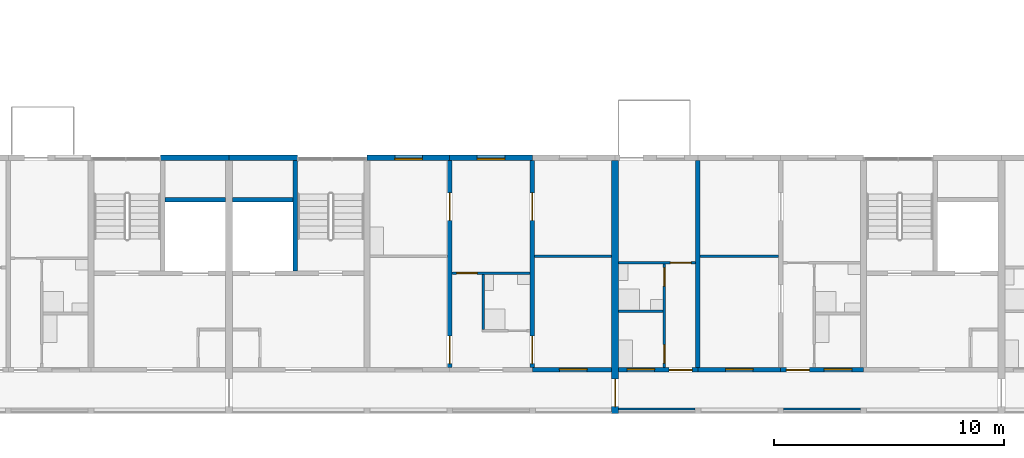
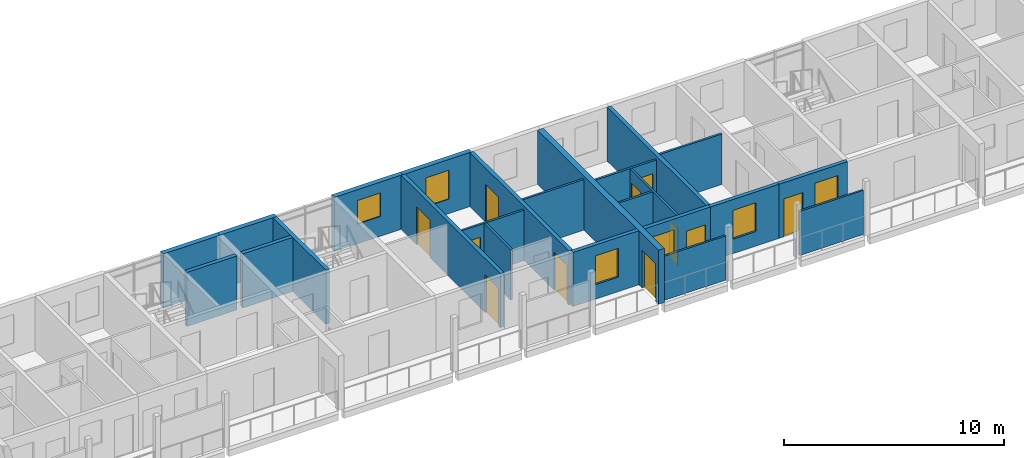
# One storey, part 32 of 94: 24 walls, 11 doors, 6 windows, 17 openings.
"""IFC4 building model written with IfcOpenShell, lengths in metres."""

from ifc_helpers import new_model, si_unit, direction, frame, frame_2d, origin, place, context, subcontext, project, spatial, rectangle, extrude, material, layer, layer_set, type_object, element, fill, save


model = new_model("IFC4")

# Units and contexts
model_context = context("Model", 3, precision=1e-05, world=origin(), true_north=direction((0.0, 1.0)))
body_context = subcontext(model_context, "Body", "Model", "MODEL_VIEW")
ifc_project = project(units=[si_unit("LENGTHUNIT", "METRE"), si_unit("AREAUNIT", "SQUARE_METRE"), si_unit("VOLUMEUNIT", "CUBIC_METRE"), si_unit("PLANEANGLEUNIT", "RADIAN"), si_unit("MASSUNIT", "GRAM", prefix="KILO")], contexts=[model_context])

# Site, building, storey
site_placement = place(None, origin())
site = spatial("IfcSite", under=ifc_project, at=site_placement, CompositionType="ELEMENT")
building_placement = place(site_placement, origin())
building = spatial("IfcBuilding", under=site, at=building_placement, Name="Ridgestep Commons", CompositionType="ELEMENT")
storey_placement = place(building_placement, frame((0.0, 0.0, 21.0)))
storey = spatial("IfcBuildingStorey", under=building, at=storey_placement, Name="L07", CompositionType="ELEMENT", Elevation=21.0)

# Walls
ifc_material_1 = material(Name="Concrete C30/37", Category="concrete")
ifc_layer_1 = layer(ifc_material_1, 0.199951171875)
ifc_layer_set_1 = layer_set([ifc_layer_1], Name="Core wall 200")
wall_type_1 = type_object("IfcWallType", Name="Core wall 200", PredefinedType="SHEAR", material=ifc_layer_set_1)
wall_1_placement = place(storey_placement, frame((42.824951171875, 21.050048828125, 0.0), z_axis=(0.0, 0.0, 1.0), x_axis=(1.0, 0.0, 0.0)))
element("IfcWall", 1, at=wall_1_placement, inside=storey, type_object=wall_type_1, Name="Core duct wall A2C L07", PredefinedType="SHEAR", context=body_context, shape_type="SweptSolid", body=[
    extrude(rectangle(XDim=2.625, YDim=0.199951171875, at=frame_2d((1.3125, 0.0))), origin(), (0.0, 0.0, 1.0), 3.0),
])
wall_2_placement = place(storey_placement, frame((48.47509765625, 17.949951171875, 0.0), z_axis=(0.0, 0.0, 1.0), x_axis=(0.0, 1.0, 0.0)))
element("IfcWall", 2, at=wall_2_placement, inside=storey, type_object=wall_type_1, Name="Core stair wall A3C L07", PredefinedType="SHEAR", context=body_context, shape_type="SweptSolid", body=[
    extrude(rectangle(XDim=4.800048828125, YDim=0.199951171875, at=frame_2d((2.39990234375, 0.0))), origin(), (0.0, 0.0, 1.0), 3.0),
])
wall_3_placement = place(storey_placement, frame((45.75, 21.050048828125, 0.0), z_axis=(0.0, 0.0, 1.0), x_axis=(1.0, 0.0, 0.0)))
element("IfcWall", 3, at=wall_3_placement, inside=storey, type_object=wall_type_1, Name="Core duct wall A3C L07", PredefinedType="SHEAR", context=body_context, shape_type="SweptSolid", body=[
    extrude(rectangle(XDim=2.625, YDim=0.199951171875, at=frame_2d((1.3125, 0.0))), origin(), (0.0, 0.0, 1.0), 3.0),
])

# Wall, openings, doors
ifc_material_2 = material(Name="Precast concrete C40/50", Category="concrete")
ifc_layer_2 = layer(ifc_material_2, 0.199951171875)
ifc_layer_set_2 = layer_set([ifc_layer_2], Name="Cross wall 200")
wall_type_2 = type_object("IfcWallType", Name="Cross wall 200", PredefinedType="SHEAR", material=ifc_layer_set_2)
wall_4_placement = place(storey_placement, frame((55.199951171875, 13.75, 0.0), z_axis=(0.0, 0.0, 1.0), x_axis=(0.0, 1.0, 0.0)))
wall_4 = element("IfcWall", 4, at=wall_4_placement, inside=storey, type_object=wall_type_2, Name="Cross wall A-07-0552", PredefinedType="SHEAR", context=body_context, shape_type="SweptSolid", body=[
    extrude(rectangle(XDim=9.0, YDim=0.199951171875, at=frame_2d((4.5, 0.0))), origin(), (0.0, 0.0, 1.0), 3.0),
])
opening_1_placement = place(wall_4_placement, frame((0.175048828125, 0.0, 0.0)))
opening_1 = element("IfcOpeningElement", 5, at=opening_1_placement, cuts=wall_4, Name="Opening A3-07a/4", PredefinedType="OPENING", context=body_context, shape_type="SweptSolid", body=[
    extrude(rectangle(XDim=1.199951171875, YDim=2.10009765625, at=frame_2d((0.60009765625, 1.050048828125))), frame((0.0, 0.10986328125, 0.0), z_axis=(0.0, -1.0, 0.0), x_axis=(1.0, 0.0, 0.0)), (0.0, 0.0, 1.0), 0.219970703125),
])
opening_2_placement = place(wall_4_placement, frame((6.39990234375, 0.0, 0.0)))
opening_2 = element("IfcOpeningElement", 6, at=opening_2_placement, cuts=wall_4, Name="Opening A3-07a/5", PredefinedType="OPENING", context=body_context, shape_type="SweptSolid", body=[
    extrude(rectangle(XDim=1.199951171875, YDim=2.10009765625, at=frame_2d((0.60009765625, 1.050048828125))), frame((0.0, 0.10986328125, 0.0), z_axis=(0.0, -1.0, 0.0), x_axis=(1.0, 0.0, 0.0)), (0.0, 0.0, 1.0), 0.219970703125),
])
ifc_material_3 = material(Name="Timber door leaf", Category="wood")
door_type_1 = type_object("IfcDoorType", Name="Double door 1200 x 2100", OperationType="DOUBLE_DOOR_SINGLE_SWING", PredefinedType="DOOR", material=ifc_material_3)
door_1_placement = place(opening_1_placement, origin())
door_1 = element("IfcDoor", 7, at=door_1_placement, inside=storey, type_object=door_type_1, Name="Double door A3-07a/4", OperationType="DOUBLE_DOOR_SINGLE_SWING", OverallHeight=2.10009765625, OverallWidth=1.199951171875, PredefinedType="DOOR", context=body_context, shape_type="SweptSolid", body=[
    extrude(rectangle(XDim=1.199951171875, YDim=2.10009765625, at=frame_2d((0.60009765625, 1.050048828125))), frame((0.0, 0.02490234375, 0.0), z_axis=(0.0, -1.0, 0.0), x_axis=(1.0, 0.0, 0.0)), (0.0, 0.0, 1.0), 0.050048828125),
])
fill(opening_1, door_1)
door_2_placement = place(opening_2_placement, origin())
door_2 = element("IfcDoor", 8, at=door_2_placement, inside=storey, type_object=door_type_1, Name="Double door A3-07a/5", OperationType="DOUBLE_DOOR_SINGLE_SWING", OverallHeight=2.10009765625, OverallWidth=1.199951171875, PredefinedType="DOOR", context=body_context, shape_type="SweptSolid", body=[
    extrude(rectangle(XDim=1.199951171875, YDim=2.10009765625, at=frame_2d((0.60009765625, 1.050048828125))), frame((0.0, 0.02490234375, 0.0), z_axis=(0.0, -1.0, 0.0), x_axis=(1.0, 0.0, 0.0)), (0.0, 0.0, 1.0), 0.050048828125),
])
fill(opening_2, door_2)

wall_5_placement = place(storey_placement, frame((58.800048828125, 13.75, 0.0), z_axis=(0.0, 0.0, 1.0), x_axis=(0.0, 1.0, 0.0)))
wall_5 = element("IfcWall", 9, at=wall_5_placement, inside=storey, type_object=wall_type_2, Name="Cross wall A-07-0588", PredefinedType="SHEAR", context=body_context, shape_type="SweptSolid", body=[
    extrude(rectangle(XDim=9.0, YDim=0.199951171875, at=frame_2d((4.5, 0.0))), origin(), (0.0, 0.0, 1.0), 3.0),
])
opening_3_placement = place(wall_5_placement, frame((0.175048828125, 0.0, 0.0)))
opening_3 = element("IfcOpeningElement", 10, at=opening_3_placement, cuts=wall_5, Name="Opening A3-07a/6", PredefinedType="OPENING", context=body_context, shape_type="SweptSolid", body=[
    extrude(rectangle(XDim=1.199951171875, YDim=2.10009765625, at=frame_2d((0.60009765625, 1.050048828125))), frame((0.0, 0.10986328125, 0.0), z_axis=(0.0, -1.0, 0.0), x_axis=(1.0, 0.0, 0.0)), (0.0, 0.0, 1.0), 0.219970703125),
])
opening_4_placement = place(wall_5_placement, frame((6.39990234375, 0.0, 0.0)))
opening_4 = element("IfcOpeningElement", 11, at=opening_4_placement, cuts=wall_5, Name="Opening A3-07a/7", PredefinedType="OPENING", context=body_context, shape_type="SweptSolid", body=[
    extrude(rectangle(XDim=1.199951171875, YDim=2.10009765625, at=frame_2d((0.60009765625, 1.050048828125))), frame((0.0, 0.10986328125, 0.0), z_axis=(0.0, -1.0, 0.0), x_axis=(1.0, 0.0, 0.0)), (0.0, 0.0, 1.0), 0.219970703125),
])
door_3_placement = place(opening_3_placement, origin())
door_3 = element("IfcDoor", 12, at=door_3_placement, inside=storey, type_object=door_type_1, Name="Double door A3-07a/6", OperationType="DOUBLE_DOOR_SINGLE_SWING", OverallHeight=2.10009765625, OverallWidth=1.199951171875, PredefinedType="DOOR", context=body_context, shape_type="SweptSolid", body=[
    extrude(rectangle(XDim=1.199951171875, YDim=2.10009765625, at=frame_2d((0.60009765625, 1.050048828125))), frame((0.0, 0.02490234375, 0.0), z_axis=(0.0, -1.0, 0.0), x_axis=(1.0, 0.0, 0.0)), (0.0, 0.0, 1.0), 0.050048828125),
])
fill(opening_3, door_3)
door_4_placement = place(opening_4_placement, origin())
door_4 = element("IfcDoor", 13, at=door_4_placement, inside=storey, type_object=door_type_1, Name="Double door A3-07a/7", OperationType="DOUBLE_DOOR_SINGLE_SWING", OverallHeight=2.10009765625, OverallWidth=1.199951171875, PredefinedType="DOOR", context=body_context, shape_type="SweptSolid", body=[
    extrude(rectangle(XDim=1.199951171875, YDim=2.10009765625, at=frame_2d((0.60009765625, 1.050048828125))), frame((0.0, 0.02490234375, 0.0), z_axis=(0.0, -1.0, 0.0), x_axis=(1.0, 0.0, 0.0)), (0.0, 0.0, 1.0), 0.050048828125),
])
fill(opening_4, door_4)

# Wall
wall_6_placement = place(storey_placement, frame((66.0, 13.75, 0.0), z_axis=(0.0, 0.0, 1.0), x_axis=(0.0, 1.0, 0.0)))
element("IfcWall", 14, at=wall_6_placement, inside=storey, type_object=wall_type_2, Name="Cross wall A-07-0660", PredefinedType="SHEAR", context=body_context, shape_type="SweptSolid", body=[
    extrude(rectangle(XDim=9.0, YDim=0.199951171875, at=frame_2d((4.5, 0.0))), origin(), (0.0, 0.0, 1.0), 3.0),
])

# Wall, opening, door
ifc_material_4 = material(Name="Precast concrete C40/50", Category="concrete")
ifc_layer_3 = layer(ifc_material_4, 0.300048828125)
ifc_layer_set_3 = layer_set([ifc_layer_3], Name="Division wall 300")
wall_type_3 = type_object("IfcWallType", Name="Division wall 300", PredefinedType="SHEAR", material=ifc_layer_set_3)
wall_7_placement = place(storey_placement, frame((62.39990234375, 11.75, 0.0), z_axis=(0.0, 0.0, 1.0), x_axis=(0.0, 1.0, 0.0)))
wall_7 = element("IfcWall", 15, at=wall_7_placement, inside=storey, type_object=wall_type_3, Name="Cross wall A-07-0624", PredefinedType="SHEAR", context=body_context, shape_type="SweptSolid", body=[
    extrude(rectangle(XDim=11.0, YDim=0.300048828125, at=frame_2d((5.5, 0.0))), origin(), (0.0, 0.0, 1.0), 3.0),
])
opening_5_placement = place(wall_7_placement, frame((0.300048828125, 0.0, 0.0)))
opening_5 = element("IfcOpeningElement", 16, at=opening_5_placement, cuts=wall_7, Name="Opening A/07/G0624", PredefinedType="OPENING", context=body_context, shape_type="SweptSolid", body=[
    extrude(rectangle(XDim=1.199951171875, YDim=2.10009765625, at=frame_2d((0.60009765625, 1.050048828125))), frame((0.0, 0.159912109375, 0.0), z_axis=(0.0, -1.0, 0.0), x_axis=(1.0, 0.0, 0.0)), (0.0, 0.0, 1.0), 0.320068359375),
])
ifc_material_5 = material(Name="Steel fire door", Category="steel")
door_type_2 = type_object("IfcDoorType", Name="Division fire door 1200 x 2100 EI 240", OperationType="DOUBLE_DOOR_SINGLE_SWING", PredefinedType="DOOR", material=ifc_material_5)
door_5_placement = place(opening_5_placement, origin())
door_5 = element("IfcDoor", 17, at=door_5_placement, inside=storey, type_object=door_type_2, Name="Division fire door A/07/G0624", OperationType="DOUBLE_DOOR_SINGLE_SWING", OverallHeight=2.10009765625, OverallWidth=1.199951171875, PredefinedType="DOOR", context=body_context, shape_type="SweptSolid", body=[
    extrude(rectangle(XDim=1.199951171875, YDim=2.10009765625, at=frame_2d((0.60009765625, 1.050048828125))), frame((0.0, 0.02490234375, 0.0), z_axis=(0.0, -1.0, 0.0), x_axis=(1.0, 0.0, 0.0)), (0.0, 0.0, 1.0), 0.050048828125),
])
fill(opening_5, door_5)

# Walls
ifc_material_6 = material(Name="Precast concrete C40/50", Category="concrete")
ifc_layer_4 = layer(ifc_material_6, 0.25)
ifc_layer_set_4 = layer_set([ifc_layer_4], Name="North facade panel 250")
wall_type_4 = type_object("IfcWallType", Name="North facade panel 250", PredefinedType="SOLIDWALL", material=ifc_layer_set_4)
wall_8_placement = place(storey_placement, frame((42.625, 22.875, 0.0), z_axis=(0.0, 0.0, 1.0), x_axis=(1.0, 0.0, 0.0)))
element("IfcWall", 18, at=wall_8_placement, inside=storey, type_object=wall_type_4, Name="North panel A2C L07", PredefinedType="SOLIDWALL", context=body_context, shape_type="SweptSolid", body=[
    extrude(rectangle(XDim=2.97509765625, YDim=0.25, at=frame_2d((1.487548828125, 0.0))), origin(), (0.0, 0.0, 1.0), 3.0),
])
wall_9_placement = place(storey_placement, frame((45.60009765625, 22.875, 0.0), z_axis=(0.0, 0.0, 1.0), x_axis=(1.0, 0.0, 0.0)))
element("IfcWall", 19, at=wall_9_placement, inside=storey, type_object=wall_type_4, Name="North panel A3C L07", PredefinedType="SOLIDWALL", context=body_context, shape_type="SweptSolid", body=[
    extrude(rectangle(XDim=2.974853515625, YDim=0.25, at=frame_2d((1.4873046875, 0.0))), origin(), (0.0, 0.0, 1.0), 3.0),
])

# Wall, opening, window
wall_10_placement = place(storey_placement, frame((51.60009765625, 22.875, 0.0), z_axis=(0.0, 0.0, 1.0), x_axis=(1.0, 0.0, 0.0)))
wall_10 = element("IfcWall", 20, at=wall_10_placement, inside=storey, type_object=wall_type_4, Name="North panel A3T3 L07", PredefinedType="SOLIDWALL", context=body_context, shape_type="SweptSolid", body=[
    extrude(rectangle(XDim=3.599853515625, YDim=0.25, at=frame_2d((1.7998046875, 0.0))), origin(), (0.0, 0.0, 1.0), 3.0),
])
opening_6_placement = place(wall_10_placement, frame((1.21240234375, 0.0, 1.10009765625)))
opening_6 = element("IfcOpeningElement", 21, at=opening_6_placement, cuts=wall_10, Name="Opening W08", PredefinedType="OPENING", context=body_context, shape_type="SweptSolid", body=[
    extrude(rectangle(XDim=1.199951171875, YDim=1.300048828125, at=frame_2d((0.60009765625, 0.64990234375))), frame((0.0, 0.135009765625, 0.0), z_axis=(0.0, -1.0, 0.0), x_axis=(1.0, 0.0, 0.0)), (0.0, 0.0, 1.0), 0.27001953125),
])
ifc_material_7 = material(Name="Aluminium 6063-T6 and glass", Category="aluminium")
window_type_1 = type_object("IfcWindowType", Name="Flat window 1200 x 1300", PartitioningType="SINGLE_PANEL", PredefinedType="WINDOW", material=ifc_material_7)
window_1_placement = place(opening_6_placement, origin())
window_1 = element("IfcWindow", 22, at=window_1_placement, inside=storey, type_object=window_type_1, Name="Window A3-07a 2", OverallHeight=1.300048828125, OverallWidth=1.199951171875, PartitioningType="SINGLE_PANEL", PredefinedType="WINDOW", context=body_context, shape_type="SweptSolid", body=[
    extrude(rectangle(XDim=1.199951171875, YDim=1.300048828125, at=frame_2d((0.60009765625, 0.64990234375))), frame((0.0, -0.02490234375, 0.0), z_axis=(0.0, -1.0, 0.0), x_axis=(1.0, 0.0, 0.0)), (0.0, 0.0, 1.0), 0.06005859375),
])
fill(opening_6, window_1)

wall_11_placement = place(storey_placement, frame((55.199951171875, 22.875, 0.0), z_axis=(0.0, 0.0, 1.0), x_axis=(1.0, 0.0, 0.0)))
wall_11 = element("IfcWall", 23, at=wall_11_placement, inside=storey, type_object=wall_type_4, Name="North panel A3T2 L07", PredefinedType="SOLIDWALL", context=body_context, shape_type="SweptSolid", body=[
    extrude(rectangle(XDim=3.60009765625, YDim=0.25, at=frame_2d((1.800048828125, 0.0))), origin(), (0.0, 0.0, 1.0), 3.0),
])
opening_7_placement = place(wall_11_placement, frame((1.199951171875, 0.0, 0.800048828125)))
opening_7 = element("IfcOpeningElement", 24, at=opening_7_placement, cuts=wall_11, Name="Opening W11", PredefinedType="OPENING", context=body_context, shape_type="SweptSolid", body=[
    extrude(rectangle(XDim=1.199951171875, YDim=1.60009765625, at=frame_2d((0.60009765625, 0.800048828125))), frame((0.0, 0.135009765625, 0.0), z_axis=(0.0, -1.0, 0.0), x_axis=(1.0, 0.0, 0.0)), (0.0, 0.0, 1.0), 0.27001953125),
])
ifc_material_8 = material(Name="Aluminium 6063-T6 and glass", Category="aluminium")
window_type_2 = type_object("IfcWindowType", Name="Flat window 1200 x 1600", PartitioningType="SINGLE_PANEL", PredefinedType="WINDOW", material=ifc_material_8)
window_2_placement = place(opening_7_placement, origin())
window_2 = element("IfcWindow", 25, at=window_2_placement, inside=storey, type_object=window_type_2, Name="Window A3-07a 5", OverallHeight=1.60009765625, OverallWidth=1.199951171875, PartitioningType="SINGLE_PANEL", PredefinedType="WINDOW", context=body_context, shape_type="SweptSolid", body=[
    extrude(rectangle(XDim=1.199951171875, YDim=1.60009765625, at=frame_2d((0.60009765625, 0.800048828125))), frame((0.0, -0.02490234375, 0.0), z_axis=(0.0, -1.0, 0.0), x_axis=(1.0, 0.0, 0.0)), (0.0, 0.0, 1.0), 0.06005859375),
])
fill(opening_7, window_2)

# Wall
ifc_material_9 = material(Name="Common brick 110 mm", Category="masonry")
ifc_layer_5 = layer(ifc_material_9, 0.110107421875)
ifc_layer_set_5 = layer_set([ifc_layer_5], Name="Partition 110")
wall_type_5 = type_object("IfcWallType", Name="Partition 110", PredefinedType="PARTITIONING", material=ifc_layer_set_5)
wall_12_placement = place(storey_placement, frame((56.655029296875, 15.409912109375, 0.0), z_axis=(0.0, 0.0, 1.0), x_axis=(0.0, 1.0, 0.0)))
element("IfcWall", 26, at=wall_12_placement, inside=storey, type_object=wall_type_5, Name="Partition A3-07a", PredefinedType="PARTITIONING", context=body_context, shape_type="SweptSolid", body=[
    extrude(rectangle(XDim=2.400146484375, YDim=0.110107421875, at=frame_2d((1.2001953125, 0.0))), origin(), (0.0, 0.0, 1.0), 2.800048828125),
])

# Wall, opening, door
wall_13_placement = place(storey_placement, frame((55.300048828125, 17.864990234375, 0.0), z_axis=(0.0, 0.0, 1.0), x_axis=(1.0, 0.0, 0.0)))
wall_13 = element("IfcWall", 27, at=wall_13_placement, inside=storey, type_object=wall_type_5, Name="Partition A3-07a", PredefinedType="PARTITIONING", context=body_context, shape_type="SweptSolid", body=[
    extrude(rectangle(XDim=3.39990234375, YDim=0.110107421875, at=frame_2d((1.699951171875, 0.0))), origin(), (0.0, 0.0, 1.0), 2.800048828125),
])
opening_8_placement = place(wall_13_placement, frame((0.199951171875, 0.0, 0.0)))
opening_8 = element("IfcOpeningElement", 28, at=opening_8_placement, cuts=wall_13, Name="Opening A3-07a/3", PredefinedType="OPENING", context=body_context, shape_type="SweptSolid", body=[
    extrude(rectangle(XDim=0.89990234375, YDim=2.10009765625, at=frame_2d((0.449951171875, 1.050048828125))), frame((0.0, 0.06494140625, 0.0), z_axis=(0.0, -1.0, 0.0), x_axis=(1.0, 0.0, 0.0)), (0.0, 0.0, 1.0), 0.130126953125),
])
ifc_material_10 = material(Name="Timber door leaf", Category="wood")
door_type_3 = type_object("IfcDoorType", Name="Internal door 900 x 2100", OperationType="NOTDEFINED", PredefinedType="DOOR", material=ifc_material_10)
door_6_placement = place(opening_8_placement, origin())
door_6 = element("IfcDoor", 29, at=door_6_placement, inside=storey, type_object=door_type_3, Name="Internal door A3-07a/3", OperationType="SINGLE_SWING_LEFT", OverallHeight=2.10009765625, OverallWidth=0.89990234375, PredefinedType="DOOR", context=body_context, shape_type="SweptSolid", body=[
    extrude(rectangle(XDim=0.89990234375, YDim=2.10009765625, at=frame_2d((0.449951171875, 1.050048828125))), frame((0.0, 0.02490234375, 0.0), z_axis=(0.0, -1.0, 0.0), x_axis=(1.0, 0.0, 0.0)), (0.0, 0.0, 1.0), 0.050048828125),
])
fill(opening_8, door_6)

# Walls
wall_14_placement = place(storey_placement, frame((58.89990234375, 18.60498046875, 0.0), z_axis=(0.0, 0.0, 1.0), x_axis=(1.0, 0.0, 0.0)))
element("IfcWall", 30, at=wall_14_placement, inside=storey, type_object=wall_type_5, Name="Partition A3-07a", PredefinedType="PARTITIONING", context=body_context, shape_type="SweptSolid", body=[
    extrude(rectangle(XDim=3.35009765625, YDim=0.110107421875, at=frame_2d((1.675048828125, 0.0))), origin(), (0.0, 0.0, 1.0), 2.800048828125),
])
wall_15_placement = place(storey_placement, frame((62.550048828125, 16.205078125, 0.0), z_axis=(0.0, 0.0, 1.0), x_axis=(1.0, 0.0, 0.0)))
element("IfcWall", 31, at=wall_15_placement, inside=storey, type_object=wall_type_5, Name="Partition A4-07a", PredefinedType="PARTITIONING", context=body_context, shape_type="SweptSolid", body=[
    extrude(rectangle(XDim=1.93994140625, YDim=0.110107421875, at=frame_2d((0.969970703125, 0.0))), origin(), (0.0, 0.0, 1.0), 2.800048828125),
])

# Wall, openings, doors
wall_16_placement = place(storey_placement, frame((64.544921875, 13.75, 0.0), z_axis=(0.0, 0.0, 1.0), x_axis=(0.0, 1.0, 0.0)))
wall_16 = element("IfcWall", 32, at=wall_16_placement, inside=storey, type_object=wall_type_5, Name="Partition A4-07a", PredefinedType="PARTITIONING", context=body_context, shape_type="SweptSolid", body=[
    extrude(rectangle(XDim=4.5, YDim=0.110107421875, at=frame_2d((2.25, 0.0))), origin(), (0.0, 0.0, 1.0), 2.800048828125),
])
opening_9_placement = place(wall_16_placement, frame((0.199951171875, 0.0, 0.0)))
opening_9 = element("IfcOpeningElement", 33, at=opening_9_placement, cuts=wall_16, Name="Opening A4-07a/2", PredefinedType="OPENING", context=body_context, shape_type="SweptSolid", body=[
    extrude(rectangle(XDim=0.800048828125, YDim=2.10009765625, at=frame_2d((0.39990234375, 1.050048828125))), frame((0.0, 0.06494140625, 0.0), z_axis=(0.0, -1.0, 0.0), x_axis=(1.0, 0.0, 0.0)), (0.0, 0.0, 1.0), 0.130126953125),
])
opening_10_placement = place(wall_16_placement, frame((3.550048828125, 0.0, 0.0)))
opening_10 = element("IfcOpeningElement", 34, at=opening_10_placement, cuts=wall_16, Name="Opening A4-07a/3", PredefinedType="OPENING", context=body_context, shape_type="SweptSolid", body=[
    extrude(rectangle(XDim=0.800048828125, YDim=2.10009765625, at=frame_2d((0.39990234375, 1.050048828125))), frame((0.0, 0.06494140625, 0.0), z_axis=(0.0, -1.0, 0.0), x_axis=(1.0, 0.0, 0.0)), (0.0, 0.0, 1.0), 0.130126953125),
])
ifc_material_11 = material(Name="Timber door leaf", Category="wood")
door_type_4 = type_object("IfcDoorType", Name="Internal door 800 x 2100", OperationType="NOTDEFINED", PredefinedType="DOOR", material=ifc_material_11)
door_7_placement = place(opening_9_placement, origin())
door_7 = element("IfcDoor", 35, at=door_7_placement, inside=storey, type_object=door_type_4, Name="Internal door A4-07a/2", OperationType="SINGLE_SWING_LEFT", OverallHeight=2.10009765625, OverallWidth=0.800048828125, PredefinedType="DOOR", context=body_context, shape_type="SweptSolid", body=[
    extrude(rectangle(XDim=0.800048828125, YDim=2.10009765625, at=frame_2d((0.39990234375, 1.050048828125))), frame((0.0, 0.02490234375, 0.0), z_axis=(0.0, -1.0, 0.0), x_axis=(1.0, 0.0, 0.0)), (0.0, 0.0, 1.0), 0.050048828125),
])
fill(opening_9, door_7)
door_8_placement = place(opening_10_placement, origin())
door_8 = element("IfcDoor", 36, at=door_8_placement, inside=storey, type_object=door_type_4, Name="Internal door A4-07a/3", OperationType="SINGLE_SWING_RIGHT", OverallHeight=2.10009765625, OverallWidth=0.800048828125, PredefinedType="DOOR", context=body_context, shape_type="SweptSolid", body=[
    extrude(rectangle(XDim=0.800048828125, YDim=2.10009765625, at=frame_2d((0.39990234375, 1.050048828125))), frame((0.0, 0.02490234375, 0.0), z_axis=(0.0, -1.0, 0.0), x_axis=(1.0, 0.0, 0.0)), (0.0, 0.0, 1.0), 0.050048828125),
])
fill(opening_10, door_8)

# Wall, opening, door
wall_17_placement = place(storey_placement, frame((62.550048828125, 18.304931640625, 0.0), z_axis=(0.0, 0.0, 1.0), x_axis=(1.0, 0.0, 0.0)))
wall_17 = element("IfcWall", 37, at=wall_17_placement, inside=storey, type_object=wall_type_5, Name="Partition A4-07a", PredefinedType="PARTITIONING", context=body_context, shape_type="SweptSolid", body=[
    extrude(rectangle(XDim=3.349853515625, YDim=0.110107421875, at=frame_2d((1.6748046875, 0.0))), origin(), (0.0, 0.0, 1.0), 2.800048828125),
])
opening_11_placement = place(wall_17_placement, frame((2.25, 0.0, 0.0)))
opening_11 = element("IfcOpeningElement", 38, at=opening_11_placement, cuts=wall_17, Name="Opening A4-07a/4", PredefinedType="OPENING", context=body_context, shape_type="SweptSolid", body=[
    extrude(rectangle(XDim=0.89990234375, YDim=2.10009765625, at=frame_2d((0.449951171875, 1.050048828125))), frame((0.0, 0.06494140625, 0.0), z_axis=(0.0, -1.0, 0.0), x_axis=(1.0, 0.0, 0.0)), (0.0, 0.0, 1.0), 0.130126953125),
])
door_9_placement = place(opening_11_placement, origin())
door_9 = element("IfcDoor", 39, at=door_9_placement, inside=storey, type_object=door_type_3, Name="Internal door A4-07a/4", OperationType="SINGLE_SWING_LEFT", OverallHeight=2.10009765625, OverallWidth=0.89990234375, PredefinedType="DOOR", context=body_context, shape_type="SweptSolid", body=[
    extrude(rectangle(XDim=0.89990234375, YDim=2.10009765625, at=frame_2d((0.449951171875, 1.050048828125))), frame((0.0, 0.02490234375, 0.0), z_axis=(0.0, -1.0, 0.0), x_axis=(1.0, 0.0, 0.0)), (0.0, 0.0, 1.0), 0.050048828125),
])
fill(opening_11, door_9)

# Walls
wall_18_placement = place(storey_placement, frame((66.10009765625, 18.60498046875, 0.0), z_axis=(0.0, 0.0, 1.0), x_axis=(1.0, 0.0, 0.0)))
element("IfcWall", 40, at=wall_18_placement, inside=storey, type_object=wall_type_5, Name="Partition A4-07b", PredefinedType="PARTITIONING", context=body_context, shape_type="SweptSolid", body=[
    extrude(rectangle(XDim=3.39990234375, YDim=0.110107421875, at=frame_2d((1.699951171875, 0.0))), origin(), (0.0, 0.0, 1.0), 2.800048828125),
])
ifc_material_12 = material(Name="Precast concrete C30/37", Category="concrete")
ifc_layer_6 = layer(ifc_material_12, 0.10009765625)
ifc_layer_set_6 = layer_set([ifc_layer_6], Name="Perforated gallery screen 3325 x 2450 x 100")
wall_type_6 = type_object("IfcWallType", Name="Perforated gallery screen 3325 x 2450 x 100", PredefinedType="SOLIDWALL", material=ifc_layer_set_6)
wall_19_placement = place(storey_placement, frame((62.550048828125, 11.949951171875, 0.0), z_axis=(0.0, 0.0, 1.0), x_axis=(1.0, 0.0, 0.0)))
element("IfcWall", 41, at=wall_19_placement, inside=storey, type_object=wall_type_6, Name="Gallery screen A4T1 07", PredefinedType="SOLIDWALL", context=body_context, shape_type="SweptSolid", body=[
    extrude(rectangle(XDim=3.324951171875, YDim=0.10009765625, at=frame_2d((1.66259765625, 0.0))), origin(), (0.0, 0.0, 1.0), 2.449951171875),
])
ifc_material_13 = material(Name="Precast concrete C30/37", Category="concrete")
ifc_layer_7 = layer(ifc_material_13, 0.10009765625)
ifc_layer_set_7 = layer_set([ifc_layer_7], Name="Perforated gallery screen 3350 x 2450 x 100")
wall_type_7 = type_object("IfcWallType", Name="Perforated gallery screen 3350 x 2450 x 100", PredefinedType="SOLIDWALL", material=ifc_layer_set_7)
wall_20_placement = place(storey_placement, frame((69.72509765625, 11.949951171875, 0.0), z_axis=(0.0, 0.0, 1.0), x_axis=(1.0, 0.0, 0.0)))
element("IfcWall", 42, at=wall_20_placement, inside=storey, type_object=wall_type_7, Name="Gallery screen A4T3 07", PredefinedType="SOLIDWALL", context=body_context, shape_type="SweptSolid", body=[
    extrude(rectangle(XDim=3.349853515625, YDim=0.10009765625, at=frame_2d((1.6748046875, 0.0))), origin(), (0.0, 0.0, 1.0), 2.449951171875),
])

# Wall, opening, window
ifc_material_14 = material(Name="Precast concrete C40/50", Category="concrete")
ifc_layer_8 = layer(ifc_material_14, 0.199951171875)
ifc_layer_set_8 = layer_set([ifc_layer_8], Name="South facade panel 200")
wall_type_8 = type_object("IfcWallType", Name="South facade panel 200", PredefinedType="SOLIDWALL", material=ifc_layer_set_8)
wall_21_placement = place(storey_placement, frame((58.800048828125, 13.64990234375, 0.0), z_axis=(0.0, 0.0, 1.0), x_axis=(1.0, 0.0, 0.0)))
wall_21 = element("IfcWall", 43, at=wall_21_placement, inside=storey, type_object=wall_type_8, Name="South panel A3T1 L07", PredefinedType="SOLIDWALL", context=body_context, shape_type="SweptSolid", body=[
    extrude(rectangle(XDim=3.449951171875, YDim=0.199951171875, at=frame_2d((1.72509765625, 0.0))), origin(), (0.0, 0.0, 1.0), 3.0),
])
opening_12_placement = place(wall_21_placement, frame((1.175048828125, 0.0, 0.800048828125)))
opening_12 = element("IfcOpeningElement", 44, at=opening_12_placement, cuts=wall_21, Name="Opening W11", PredefinedType="OPENING", context=body_context, shape_type="SweptSolid", body=[
    extrude(rectangle(XDim=1.199951171875, YDim=1.60009765625, at=frame_2d((0.60009765625, 0.800048828125))), frame((0.0, 0.10986328125, 0.0), z_axis=(0.0, -1.0, 0.0), x_axis=(1.0, 0.0, 0.0)), (0.0, 0.0, 1.0), 0.219970703125),
])
window_3_placement = place(opening_12_placement, origin())
window_3 = element("IfcWindow", 45, at=window_3_placement, inside=storey, type_object=window_type_2, Name="Window A3-07a 3", OverallHeight=1.60009765625, OverallWidth=1.199951171875, PartitioningType="SINGLE_PANEL", PredefinedType="WINDOW", context=body_context, shape_type="SweptSolid", body=[
    extrude(rectangle(XDim=1.199951171875, YDim=1.60009765625, at=frame_2d((0.60009765625, 0.800048828125))), frame((0.0, 0.06005859375, 0.0), z_axis=(0.0, -1.0, 0.0), x_axis=(1.0, 0.0, 0.0)), (0.0, 0.0, 1.0), 0.06005859375),
])
fill(opening_12, window_3)

# Wall, openings, door, window
wall_22_placement = place(storey_placement, frame((62.550048828125, 13.64990234375, 0.0), z_axis=(0.0, 0.0, 1.0), x_axis=(1.0, 0.0, 0.0)))
wall_22 = element("IfcWall", 46, at=wall_22_placement, inside=storey, type_object=wall_type_8, Name="South panel A4T1 L07", PredefinedType="SOLIDWALL", context=body_context, shape_type="SweptSolid", body=[
    extrude(rectangle(XDim=3.449951171875, YDim=0.199951171875, at=frame_2d((1.72509765625, 0.0))), origin(), (0.0, 0.0, 1.0), 3.0),
])
opening_13_placement = place(wall_22_placement, frame((0.3701171875, 0.0, 1.10009765625)))
opening_13 = element("IfcOpeningElement", 47, at=opening_13_placement, cuts=wall_22, Name="Opening W08", PredefinedType="OPENING", context=body_context, shape_type="SweptSolid", body=[
    extrude(rectangle(XDim=1.199951171875, YDim=1.300048828125, at=frame_2d((0.60009765625, 0.64990234375))), frame((0.0, 0.10986328125, 0.0), z_axis=(0.0, -1.0, 0.0), x_axis=(1.0, 0.0, 0.0)), (0.0, 0.0, 1.0), 0.219970703125),
])
opening_14_placement = place(wall_22_placement, frame((2.199951171875, 0.0, 0.0)))
opening_14 = element("IfcOpeningElement", 48, at=opening_14_placement, cuts=wall_22, Name="Opening A4-07a/1", PredefinedType="OPENING", context=body_context, shape_type="SweptSolid", body=[
    extrude(rectangle(XDim=1.0, YDim=2.10009765625, at=frame_2d((0.5, 1.050048828125))), frame((0.0, 0.10986328125, 0.0), z_axis=(0.0, -1.0, 0.0), x_axis=(1.0, 0.0, 0.0)), (0.0, 0.0, 1.0), 0.219970703125),
])
ifc_material_15 = material(Name="Timber door leaf", Category="wood")
door_type_5 = type_object("IfcDoorType", Name="Flat entrance door 1000 x 2100 FD30S", OperationType="NOTDEFINED", PredefinedType="DOOR", material=ifc_material_15)
door_10_placement = place(opening_14_placement, origin())
door_10 = element("IfcDoor", 49, at=door_10_placement, inside=storey, type_object=door_type_5, Name="Flat entrance door A4-07a/1", OperationType="SINGLE_SWING_RIGHT", OverallHeight=2.10009765625, OverallWidth=1.0, PredefinedType="DOOR", context=body_context, shape_type="SweptSolid", body=[
    extrude(rectangle(XDim=1.0, YDim=2.10009765625, at=frame_2d((0.5, 1.050048828125))), frame((0.0, 0.02490234375, 0.0), z_axis=(0.0, -1.0, 0.0), x_axis=(1.0, 0.0, 0.0)), (0.0, 0.0, 1.0), 0.050048828125),
])
fill(opening_14, door_10)
window_4_placement = place(opening_13_placement, origin())
window_4 = element("IfcWindow", 50, at=window_4_placement, inside=storey, type_object=window_type_1, Name="Window A4-07a 1", OverallHeight=1.300048828125, OverallWidth=1.199951171875, PartitioningType="SINGLE_PANEL", PredefinedType="WINDOW", context=body_context, shape_type="SweptSolid", body=[
    extrude(rectangle(XDim=1.199951171875, YDim=1.300048828125, at=frame_2d((0.60009765625, 0.64990234375))), frame((0.0, 0.06005859375, 0.0), z_axis=(0.0, -1.0, 0.0), x_axis=(1.0, 0.0, 0.0)), (0.0, 0.0, 1.0), 0.06005859375),
])
fill(opening_13, window_4)

# Wall, opening, window
wall_23_placement = place(storey_placement, frame((66.0, 13.64990234375, 0.0), z_axis=(0.0, 0.0, 1.0), x_axis=(1.0, 0.0, 0.0)))
wall_23 = element("IfcWall", 51, at=wall_23_placement, inside=storey, type_object=wall_type_8, Name="South panel A4T2 L07", PredefinedType="SOLIDWALL", context=body_context, shape_type="SweptSolid", body=[
    extrude(rectangle(XDim=3.60009765625, YDim=0.199951171875, at=frame_2d((1.800048828125, 0.0))), origin(), (0.0, 0.0, 1.0), 3.0),
])
opening_15_placement = place(wall_23_placement, frame((1.199951171875, 0.0, 0.800048828125)))
opening_15 = element("IfcOpeningElement", 52, at=opening_15_placement, cuts=wall_23, Name="Opening W11", PredefinedType="OPENING", context=body_context, shape_type="SweptSolid", body=[
    extrude(rectangle(XDim=1.199951171875, YDim=1.60009765625, at=frame_2d((0.60009765625, 0.800048828125))), frame((0.0, 0.10986328125, 0.0), z_axis=(0.0, -1.0, 0.0), x_axis=(1.0, 0.0, 0.0)), (0.0, 0.0, 1.0), 0.219970703125),
])
window_5_placement = place(opening_15_placement, origin())
window_5 = element("IfcWindow", 53, at=window_5_placement, inside=storey, type_object=window_type_2, Name="Window A4-07b 1", OverallHeight=1.60009765625, OverallWidth=1.199951171875, PartitioningType="SINGLE_PANEL", PredefinedType="WINDOW", context=body_context, shape_type="SweptSolid", body=[
    extrude(rectangle(XDim=1.199951171875, YDim=1.60009765625, at=frame_2d((0.60009765625, 0.800048828125))), frame((0.0, 0.06005859375, 0.0), z_axis=(0.0, -1.0, 0.0), x_axis=(1.0, 0.0, 0.0)), (0.0, 0.0, 1.0), 0.06005859375),
])
fill(opening_15, window_5)

# Wall, openings, door, window
wall_24_placement = place(storey_placement, frame((69.60009765625, 13.64990234375, 0.0), z_axis=(0.0, 0.0, 1.0), x_axis=(1.0, 0.0, 0.0)))
wall_24 = element("IfcWall", 54, at=wall_24_placement, inside=storey, type_object=wall_type_8, Name="South panel A4T3 L07", PredefinedType="SOLIDWALL", context=body_context, shape_type="SweptSolid", body=[
    extrude(rectangle(XDim=3.599853515625, YDim=0.199951171875, at=frame_2d((1.7998046875, 0.0))), origin(), (0.0, 0.0, 1.0), 3.0),
])
opening_16_placement = place(wall_24_placement, frame((1.892578125, 0.0, 1.10009765625)))
opening_16 = element("IfcOpeningElement", 55, at=opening_16_placement, cuts=wall_24, Name="Opening W08", PredefinedType="OPENING", context=body_context, shape_type="SweptSolid", body=[
    extrude(rectangle(XDim=1.199951171875, YDim=1.300048828125, at=frame_2d((0.60009765625, 0.64990234375))), frame((0.0, 0.10986328125, 0.0), z_axis=(0.0, -1.0, 0.0), x_axis=(1.0, 0.0, 0.0)), (0.0, 0.0, 1.0), 0.219970703125),
])
opening_17_placement = place(wall_24_placement, frame((0.25, 0.0, 0.0)))
opening_17 = element("IfcOpeningElement", 56, at=opening_17_placement, cuts=wall_24, Name="Opening A4-07b/1", PredefinedType="OPENING", context=body_context, shape_type="SweptSolid", body=[
    extrude(rectangle(XDim=1.0, YDim=2.10009765625, at=frame_2d((0.5, 1.050048828125))), frame((0.0, 0.10986328125, 0.0), z_axis=(0.0, -1.0, 0.0), x_axis=(1.0, 0.0, 0.0)), (0.0, 0.0, 1.0), 0.219970703125),
])
door_11_placement = place(opening_17_placement, origin())
door_11 = element("IfcDoor", 57, at=door_11_placement, inside=storey, type_object=door_type_5, Name="Flat entrance door A4-07b/1", OperationType="SINGLE_SWING_LEFT", OverallHeight=2.10009765625, OverallWidth=1.0, PredefinedType="DOOR", context=body_context, shape_type="SweptSolid", body=[
    extrude(rectangle(XDim=1.0, YDim=2.10009765625, at=frame_2d((0.5, 1.050048828125))), frame((0.0, 0.02490234375, 0.0), z_axis=(0.0, -1.0, 0.0), x_axis=(1.0, 0.0, 0.0)), (0.0, 0.0, 1.0), 0.050048828125),
])
fill(opening_17, door_11)
window_6_placement = place(opening_16_placement, origin())
window_6 = element("IfcWindow", 58, at=window_6_placement, inside=storey, type_object=window_type_1, Name="Window A4-07b 3", OverallHeight=1.300048828125, OverallWidth=1.199951171875, PartitioningType="SINGLE_PANEL", PredefinedType="WINDOW", context=body_context, shape_type="SweptSolid", body=[
    extrude(rectangle(XDim=1.199951171875, YDim=1.300048828125, at=frame_2d((0.60009765625, 0.64990234375))), frame((0.0, 0.06005859375, 0.0), z_axis=(0.0, -1.0, 0.0), x_axis=(1.0, 0.0, 0.0)), (0.0, 0.0, 1.0), 0.06005859375),
])
fill(opening_16, window_6)

save(model, "model.ifc")
